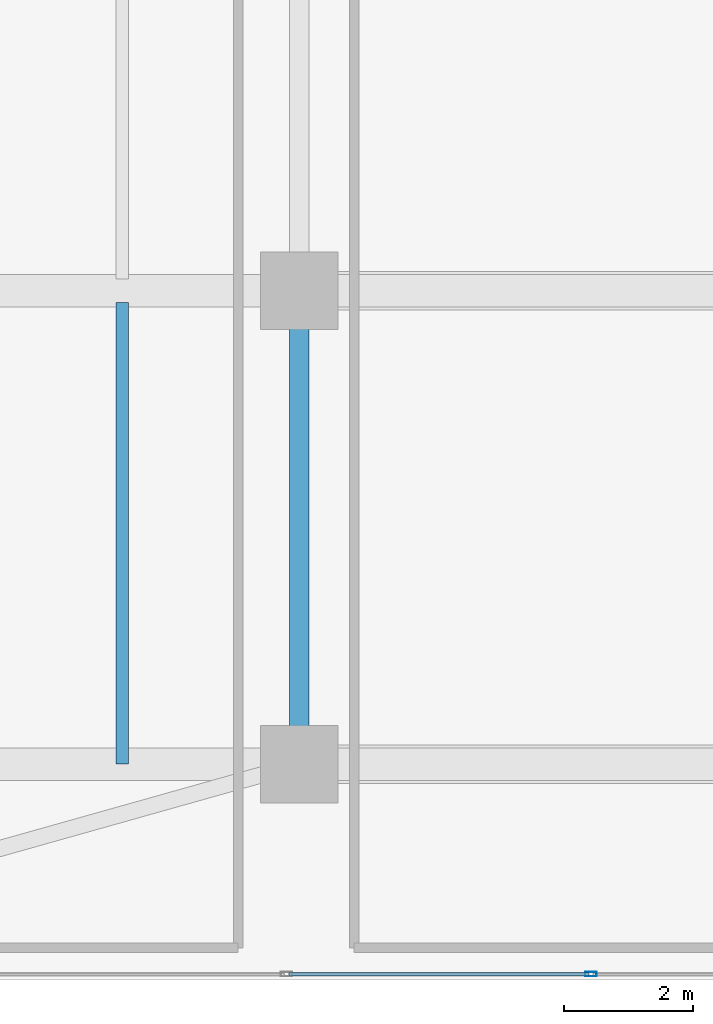
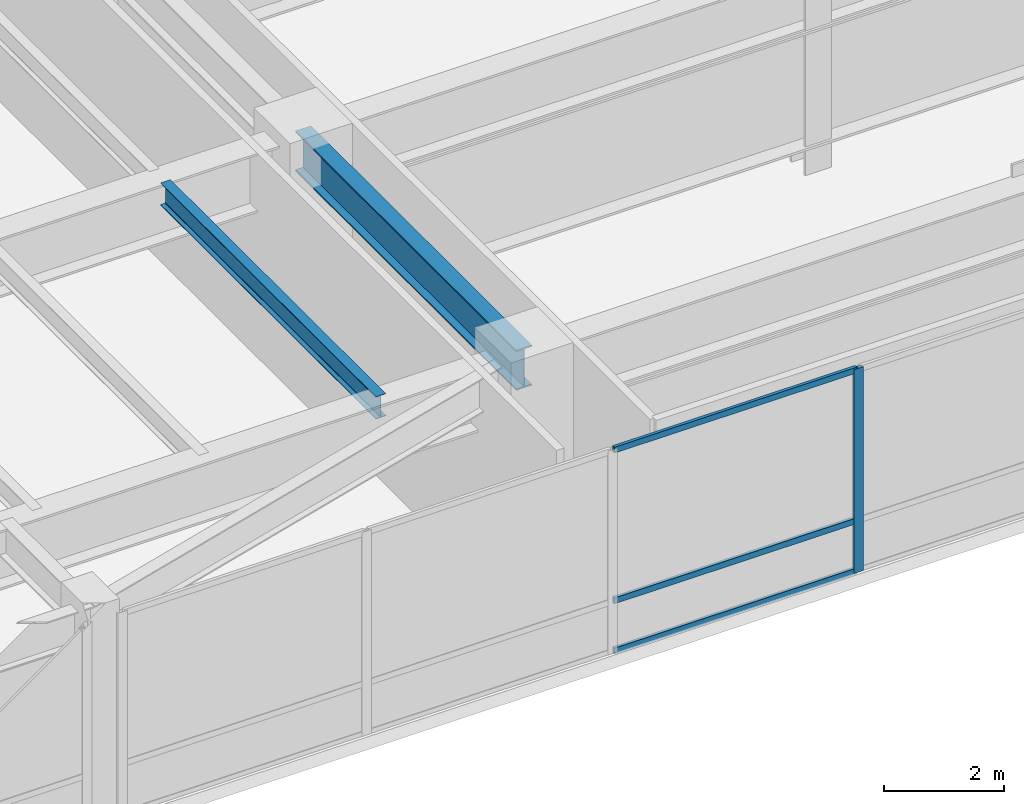
# One storey, part 7 of 27: 4 members, 2 beams, 1 element without a shape of its own.
"""IFC4 building model written with IfcOpenShell, lengths in metres."""

from ifc_helpers import new_model, si_unit, direction, frame, origin, origin_2d, place, context, subcontext, project, spatial, hollow_rectangle, i_section, extrude, source, transform, mapped, material, layer, layer_set, material_profile, profile_set, type_object, type_shapes, element, aggregate, save


model = new_model("IFC4")

# Units and contexts
model_context = context("Model", 3, precision=1e-05, world=origin(), true_north=direction((0.0, 1.0)))
body_context = subcontext(model_context, "Body", "Model", "MODEL_VIEW")
ifc_project = project(units=[si_unit("LENGTHUNIT", "METRE"), si_unit("AREAUNIT", "SQUARE_METRE"), si_unit("VOLUMEUNIT", "CUBIC_METRE"), si_unit("PLANEANGLEUNIT", "RADIAN"), si_unit("MASSUNIT", "GRAM", prefix="KILO")], contexts=[model_context])

# Site, building, storey
site_placement = place(None, origin())
site = spatial("IfcSite", under=ifc_project, at=site_placement, CompositionType="ELEMENT")
building_placement = place(site_placement, origin())
building = spatial("IfcBuilding", under=site, at=building_placement, Name="Tolvann Quenvar Hotel", CompositionType="ELEMENT")
storey_placement = place(building_placement, frame((0.0, 0.0, 22.39990234375)))
storey = spatial("IfcBuildingStorey", under=building, at=storey_placement, Name="L04", CompositionType="ELEMENT", Elevation=22.39990234375)

# Beams
ifc_material_1 = material(Name="Steel Grade 350", Category="steel")
ifc_material_profile_1 = material_profile(ifc_material_1, i_section(OverallWidth=0.300048828125, OverallDepth=0.81591796875, WebThickness=0.010009765625, FlangeThickness=0.028076171875, at=origin_2d()), Name="800WB192")
ifc_profile_set_1 = profile_set([ifc_material_profile_1], Name="Steel Grade 350")
beam_type_1 = type_object("IfcBeamType", Name="BM_GIRD_800WB192", PredefinedType="BEAM", material=ifc_profile_set_1)
shared_shape_1 = source(origin(), body_context, "Body", "SweptSolid", [
    extrude(i_section(OverallWidth=0.300048828125, OverallDepth=0.81591796875, WebThickness=0.010009765625, FlangeThickness=0.028076171875, at=origin_2d()), origin(), (0.0, 0.0, 1.0), 7.349853515625),
])
type_shapes(beam_type_1, [shared_shape_1])
beam_1_placement = place(storey_placement, frame((18.75, 0.85009765625, 3.732177734375), z_axis=(0.0, 1.0, 0.0), x_axis=(-1.0, 0.0, 0.0)))
element("IfcBeam", 1, at=beam_1_placement, inside=storey, type_object=beam_type_1, Name="BM-L04-NS-APW-0", PredefinedType="BEAM", context=body_context, shape_type="MappedRepresentation", body=[
    mapped(shared_shape_1, transform((0.0, 0.0, 0.0), x_axis=(1.0, 0.0, 0.0), y_axis=(0.0, 1.0, 0.0), z_axis=(0.0, 0.0, 1.0), scale=1.0)),
])
ifc_material_profile_2 = material_profile(ifc_material_1, i_section(OverallWidth=0.18994140625, OverallDepth=0.4541015625, WebThickness=0.008544921875, FlangeThickness=0.0126953125, FilletRadius=0.011474609375, at=origin_2d()), Name="460UB67")
ifc_profile_set_2 = profile_set([ifc_material_profile_2], Name="Steel Grade 350")
beam_type_2 = type_object("IfcBeamType", Name="BM_JOIST_460UB67", PredefinedType="JOIST", material=ifc_profile_set_2)
shared_shape_2 = source(origin(), body_context, "Body", "SweptSolid", [
    extrude(i_section(OverallWidth=0.18994140625, OverallDepth=0.4541015625, WebThickness=0.008544921875, FlangeThickness=0.0126953125, FilletRadius=0.011474609375, at=origin_2d()), origin(), (0.0, 0.0, 1.0), 7.164794921875),
])
type_shapes(beam_type_2, [shared_shape_2])
beam_2_placement = place(storey_placement, frame((16.0, 0.85009765625, 3.9130859375), z_axis=(0.0, 1.0, 0.0), x_axis=(-1.0, 0.0, 0.0)))
element("IfcBeam", 2, at=beam_2_placement, inside=storey, type_object=beam_type_2, Name="BJ-L04-160-8", PredefinedType="JOIST", context=body_context, shape_type="MappedRepresentation", body=[
    mapped(shared_shape_2, transform((0.0, 0.0, 0.0), x_axis=(1.0, 0.0, 0.0), y_axis=(0.0, 1.0, 0.0), z_axis=(0.0, 0.0, 1.0), scale=1.0)),
])

# Curtain wall, members
ifc_material_2 = material(Name="Thermally broken anodised architectural aluminium 6063-T6 and laminated low-E glass", Category="aluminium")
ifc_layer = layer(ifc_material_2, 0.179931640625)
ifc_layer_set = layer_set([ifc_layer], Name="Thermally broken anodised architectural aluminium 6063-T6 and laminated low-E glass")
curtain_wall_type = type_object("IfcCurtainWallType", Name="CW_SYS_BALL_02", PredefinedType="USERDEFINED", material=ifc_layer_set)
curtain_wall_placement = place(storey_placement, origin())
curtain_wall = element("IfcCurtainWall", 3, at=curtain_wall_placement, inside=storey, type_object=curtain_wall_type, Name="Curtain Wall CW-BALL-02 (CWR-L04-E04-S3)", ObjectType="UNITISED CURTAIN WALL", PredefinedType="USERDEFINED")
ifc_material_3 = material(Name="Anodised architectural aluminium 6063-T6 framing", Category="aluminium")
ifc_material_profile_3 = material_profile(ifc_material_3, hollow_rectangle(XDim=0.070068359375, YDim=0.179931640625, WallThickness=0.00390625, at=origin_2d()), Name="180x70x4RHS")
ifc_profile_set_3 = profile_set([ifc_material_profile_3], Name="Anodised architectural aluminium 6063-T6 framing")
member_type_1 = type_object("IfcMemberType", Name="CW_MULL_180x70", PredefinedType="MULLION", material=ifc_profile_set_3)
shared_shape_3 = source(origin(), body_context, "Body", "SweptSolid", [
    extrude(hollow_rectangle(XDim=0.070068359375, YDim=0.179931640625, WallThickness=0.00390625, at=origin_2d()), origin(), (0.0, 0.0, 1.0), 4.14013671875),
])
type_shapes(member_type_1, [shared_shape_3])
member_1_placement = place(storey_placement, frame((23.27587890625, -2.409912109375, 0.0), z_axis=(0.0, 0.0, 1.0), x_axis=(0.0, 1.0, 0.0)))
member_1 = element("IfcMember", 4, at=member_1_placement, type_object=member_type_1, Name="CW-BALL-02 mullion 4", PredefinedType="MULLION", context=body_context, shape_type="MappedRepresentation", body=[
    mapped(shared_shape_3, transform((0.0, 0.0, 0.0), x_axis=(1.0, 0.0, 0.0), y_axis=(0.0, 1.0, 0.0), z_axis=(0.0, 0.0, 1.0), scale=1.0)),
])
ifc_material_profile_4 = material_profile(ifc_material_3, hollow_rectangle(XDim=0.06005859375, YDim=0.1201171875, WallThickness=0.00341796875, at=origin_2d()), Name="120x60x3.5RHS")
ifc_profile_set_4 = profile_set([ifc_material_profile_4], Name="Anodised architectural aluminium 6063-T6 framing")
member_type_2 = type_object("IfcMemberType", Name="CW_TRAN_120x60", PredefinedType="USERDEFINED", material=ifc_profile_set_4)
shared_shape_4 = source(origin(), body_context, "Body", "SweptSolid", [
    extrude(hollow_rectangle(XDim=0.06005859375, YDim=0.1201171875, WallThickness=0.00341796875, at=origin_2d()), origin(), (0.0, 0.0, 1.0), 4.654052734375),
])
type_shapes(member_type_2, [shared_shape_4])
member_2_placement = place(storey_placement, frame((18.5869140625, -2.409912109375, 0.030029296875), z_axis=(1.0, 0.0, 0.0), x_axis=(0.0, 1.0, 0.0)))
member_2 = element("IfcMember", 5, at=member_2_placement, type_object=member_type_2, Name="CW-BALL-02 transom 3.1", ObjectType="TRANSOM", PredefinedType="USERDEFINED", context=body_context, shape_type="MappedRepresentation", body=[
    mapped(shared_shape_4, transform((0.0, 0.0, 0.0), x_axis=(1.0, 0.0, 0.0), y_axis=(0.0, 1.0, 0.0), z_axis=(0.0, 0.0, 1.0), scale=1.0)),
])
member_3_placement = place(storey_placement, frame((18.5869140625, -2.409912109375, 1.050048828125), z_axis=(1.0, 0.0, 0.0), x_axis=(0.0, 1.0, 0.0)))
member_3 = element("IfcMember", 6, at=member_3_placement, type_object=member_type_2, Name="CW-BALL-02 transom 3.2", ObjectType="TRANSOM", PredefinedType="USERDEFINED", context=body_context, shape_type="MappedRepresentation", body=[
    mapped(shared_shape_4, transform((0.0, 0.0, 0.0), x_axis=(1.0, 0.0, 0.0), y_axis=(0.0, 1.0, 0.0), z_axis=(0.0, 0.0, 1.0), scale=1.0)),
])
member_4_placement = place(storey_placement, frame((18.5869140625, -2.409912109375, 4.110107421875), z_axis=(1.0, 0.0, 0.0), x_axis=(0.0, 1.0, 0.0)))
member_4 = element("IfcMember", 7, at=member_4_placement, type_object=member_type_2, Name="CW-BALL-02 transom 3.3", ObjectType="TRANSOM", PredefinedType="USERDEFINED", context=body_context, shape_type="MappedRepresentation", body=[
    mapped(shared_shape_4, transform((0.0, 0.0, 0.0), x_axis=(1.0, 0.0, 0.0), y_axis=(0.0, 1.0, 0.0), z_axis=(0.0, 0.0, 1.0), scale=1.0)),
])
aggregate(curtain_wall, [member_1, member_2, member_3, member_4])

save(model, "model.ifc")
